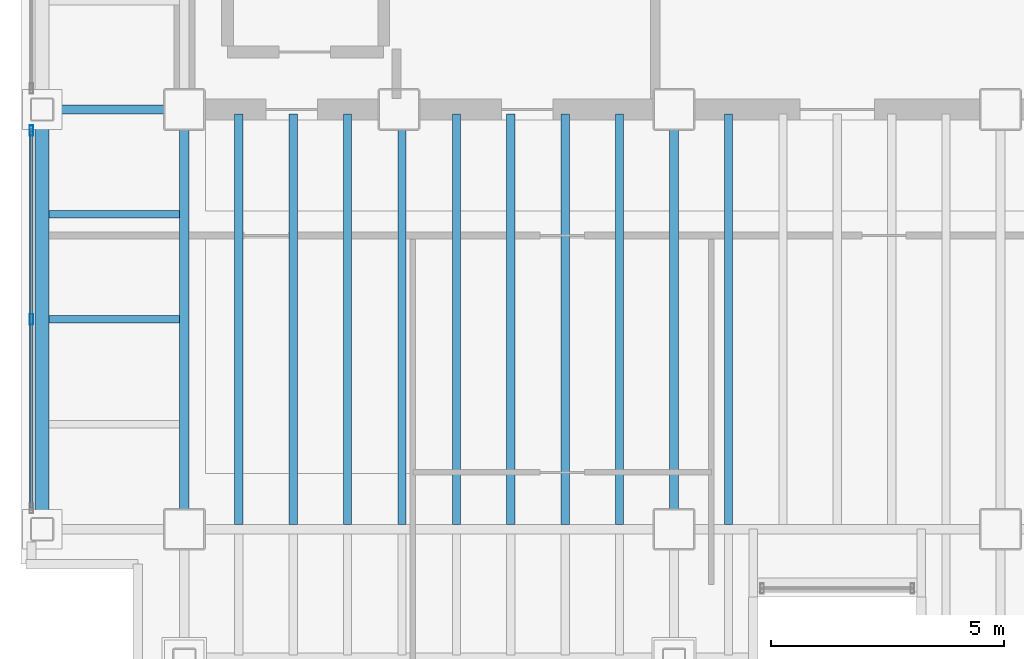
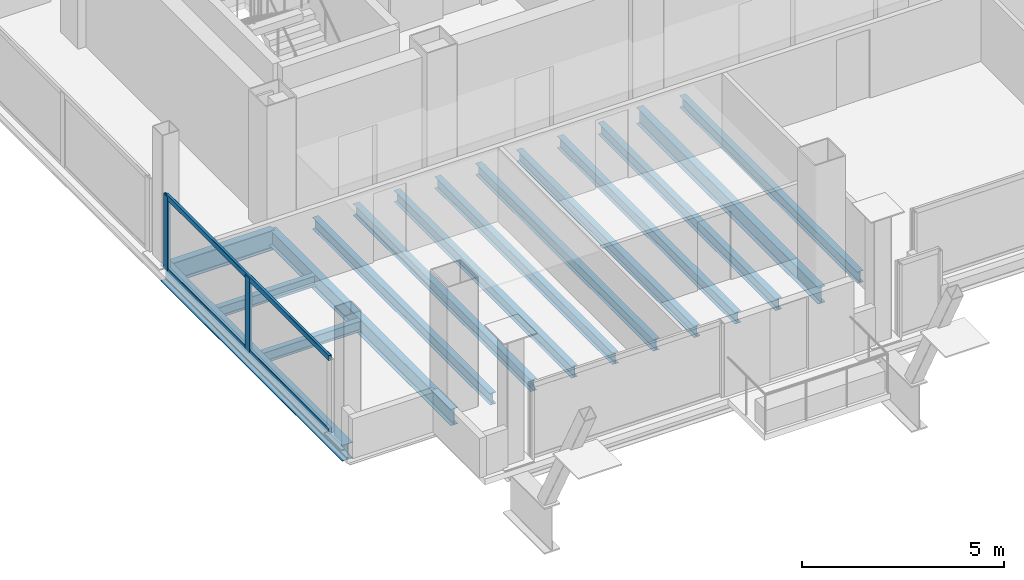
# One storey, part 3 of 16: 15 beams, 4 members, 1 element without a shape of its own.
"""IFC4 building model written with IfcOpenShell, lengths in metres."""

from ifc_helpers import new_model, si_unit, direction, frame, origin, origin_2d, place, context, subcontext, project, spatial, hollow_rectangle, i_section, extrude, material, material_profile, profile_set, type_object, element, aggregate, save


model = new_model("IFC4")

# Units and contexts
model_context = context("Model", 3, precision=1e-05, world=origin(), true_north=direction((0.0, 1.0)))
body_context = subcontext(model_context, "Body", "Model", "MODEL_VIEW")
ifc_project = project(units=[si_unit("LENGTHUNIT", "METRE"), si_unit("AREAUNIT", "SQUARE_METRE"), si_unit("VOLUMEUNIT", "CUBIC_METRE"), si_unit("PLANEANGLEUNIT", "RADIAN"), si_unit("MASSUNIT", "GRAM", prefix="KILO")], contexts=[model_context])

# Site, building, storey
site_placement = place(None, origin())
site = spatial("IfcSite", under=ifc_project, at=site_placement, CompositionType="ELEMENT")
building_placement = place(site_placement, origin())
building = spatial("IfcBuilding", under=site, at=building_placement, Name="Noeulbin Bourse Tower", CompositionType="ELEMENT")
storey_placement = place(building_placement, frame((0.0, 0.0, 192.89990234375)))
storey = spatial("IfcBuildingStorey", under=building, at=storey_placement, Name="L48", CompositionType="ELEMENT", Elevation=192.89990234375)

# Beams
ifc_material_1 = material(Name="Steel S355", Category="steel")
ifc_material_profile_1 = material_profile(ifc_material_1, i_section(OverallWidth=0.199951171875, OverallDepth=0.5, WebThickness=0.010009765625, FlangeThickness=0.01611328125, FilletRadius=0.02001953125, at=origin_2d()), Name="H-500x200x10x16", Category="LoadBearing")
ifc_profile_set_1 = profile_set([ifc_material_profile_1], Name="Steel S355")
beam_type_1 = type_object("IfcBeamType", Name="BM-GRD-500", PredefinedType="USERDEFINED", material=ifc_profile_set_1)
for number, where, z_axis, x_axis, name in (
    (1, (13.5, 20.0, -0.429931640625), (0.0, 1.0, 0.0), (-1.0, 0.0, 0.0), "Tower Primary Girder NS L48-1.2"),
    (2, (24.0, 20.0, -0.429931640625), (0.0, 1.0, 0.0), (-1.0, 0.0, 0.0), "Tower Primary Girder NS L48-2.2"),
):
    element("IfcBeam", number, at=place(storey_placement, frame(where, z_axis=z_axis, x_axis=x_axis)), inside=storey, type_object=beam_type_1, Name=name, ObjectType="GIRDER", PredefinedType="USERDEFINED", context=body_context, shape_type="SweptSolid", body=[
        extrude(i_section(OverallWidth=0.199951171875, OverallDepth=0.5, WebThickness=0.010009765625, FlangeThickness=0.01611328125, FilletRadius=0.02001953125, at=origin_2d()), origin(), (0.0, 0.0, 1.0), 9.0),
    ])
ifc_material_profile_2 = material_profile(ifc_material_1, i_section(OverallWidth=0.199951171875, OverallDepth=0.60009765625, WebThickness=0.010986328125, FlangeThickness=0.01708984375, FilletRadius=0.02197265625, at=origin_2d()), Name="H-600x200x11x17", Category="LoadBearing")
ifc_profile_set_2 = profile_set([ifc_material_profile_2], Name="Steel S355")
beam_type_2 = type_object("IfcBeamType", Name="BM-GRD-600", PredefinedType="USERDEFINED", material=ifc_profile_set_2)
beam_1_placement = place(storey_placement, frame((10.449951171875, 29.0, -0.47998046875), z_axis=(1.0, 0.0, 0.0), x_axis=(0.0, 1.0, 0.0)))
element("IfcBeam", 3, at=beam_1_placement, inside=storey, type_object=beam_type_2, Name="Tower Primary Girder EW L48-2.1", ObjectType="GIRDER", PredefinedType="USERDEFINED", context=body_context, shape_type="SweptSolid", body=[
    extrude(i_section(OverallWidth=0.199951171875, OverallDepth=0.60009765625, WebThickness=0.010986328125, FlangeThickness=0.01708984375, FilletRadius=0.02197265625, at=origin_2d()), origin(), (0.0, 0.0, 1.0), 3.050048828125),
])
ifc_material_profile_3 = material_profile(ifc_material_1, i_section(OverallWidth=0.159912109375, OverallDepth=0.320068359375, WebThickness=0.006591796875, FlangeThickness=0.010009765625, FilletRadius=0.012939453125, at=origin_2d()), Name="H-320x160x6.5x10", Category="LoadBearing")
ifc_profile_set_3 = profile_set([ifc_material_profile_3], Name="Steel S355")
beam_type_3 = type_object("IfcBeamType", Name="BM-JST-320", PredefinedType="JOIST", material=ifc_profile_set_3)
for number, where, z_axis, x_axis, name in (
    (4, (10.60009765625, 24.5, -0.33984375), (1.0, 0.0, 0.0), (0.0, 1.0, 0.0), "Wing Composite Joist L48-W68"),
    (5, (10.60009765625, 26.75, -0.33984375), (1.0, 0.0, 0.0), (0.0, 1.0, 0.0), "Wing Composite Joist L48-W69"),
):
    element("IfcBeam", number, at=place(storey_placement, frame(where, z_axis=z_axis, x_axis=x_axis)), inside=storey, type_object=beam_type_3, Name=name, PredefinedType="JOIST", context=body_context, shape_type="SweptSolid", body=[
        extrude(i_section(OverallWidth=0.159912109375, OverallDepth=0.320068359375, WebThickness=0.006591796875, FlangeThickness=0.010009765625, FilletRadius=0.012939453125, at=origin_2d()), origin(), (0.0, 0.0, 1.0), 2.7998046875),
    ])
ifc_material_profile_4 = material_profile(ifc_material_1, i_section(OverallWidth=0.175048828125, OverallDepth=0.35009765625, WebThickness=0.007080078125, FlangeThickness=0.010986328125, FilletRadius=0.013916015625, at=origin_2d()), Name="H-350x175x7x11", Category="LoadBearing")
ifc_profile_set_4 = profile_set([ifc_material_profile_4], Name="Steel S355")
beam_type_4 = type_object("IfcBeamType", Name="BM-JST-350", PredefinedType="JOIST", material=ifc_profile_set_4)
for number, where, z_axis, x_axis, name in (
    (6, (14.666748046875, 20.10009765625, -0.35498046875), (0.0, 1.0, 0.0), (-1.0, 0.0, 0.0), "Tower Composite Joist L48-02"),
    (7, (15.833251953125, 20.10009765625, -0.35498046875), (0.0, 1.0, 0.0), (-1.0, 0.0, 0.0), "Tower Composite Joist L48-05"),
    (8, (17.0, 20.10009765625, -0.35498046875), (0.0, 1.0, 0.0), (-1.0, 0.0, 0.0), "Tower Composite Joist L48-08"),
    (9, (18.166748046875, 20.10009765625, -0.35498046875), (0.0, 1.0, 0.0), (-1.0, 0.0, 0.0), "Tower Composite Joist L48-11"),
    (10, (19.333251953125, 20.10009765625, -0.35498046875), (0.0, 1.0, 0.0), (-1.0, 0.0, 0.0), "Tower Composite Joist L48-14"),
    (11, (20.5, 20.10009765625, -0.35498046875), (0.0, 1.0, 0.0), (-1.0, 0.0, 0.0), "Tower Composite Joist L48-17"),
    (12, (21.666748046875, 20.10009765625, -0.35498046875), (0.0, 1.0, 0.0), (-1.0, 0.0, 0.0), "Tower Composite Joist L48-20"),
    (13, (22.833251953125, 20.10009765625, -0.35498046875), (0.0, 1.0, 0.0), (-1.0, 0.0, 0.0), "Tower Composite Joist L48-23"),
    (14, (25.166748046875, 20.10009765625, -0.35498046875), (0.0, 1.0, 0.0), (-1.0, 0.0, 0.0), "Tower Composite Joist L48-26"),
):
    element("IfcBeam", number, at=place(storey_placement, frame(where, z_axis=z_axis, x_axis=x_axis)), inside=storey, type_object=beam_type_4, Name=name, PredefinedType="JOIST", context=body_context, shape_type="SweptSolid", body=[
        extrude(i_section(OverallWidth=0.175048828125, OverallDepth=0.35009765625, WebThickness=0.007080078125, FlangeThickness=0.010986328125, FilletRadius=0.013916015625, at=origin_2d()), origin(), (0.0, 0.0, 1.0), 8.7998046875),
    ])
ifc_material_profile_5 = material_profile(ifc_material_1, i_section(OverallWidth=0.300048828125, OverallDepth=0.488037109375, WebThickness=0.010986328125, FlangeThickness=0.01806640625, FilletRadius=0.02197265625, at=origin_2d()), Name="H-488x300x11x18", Category="LoadBearing")
ifc_profile_set_5 = profile_set([ifc_material_profile_5], Name="Steel S355")
beam_type_5 = type_object("IfcBeamType", Name="BM-SPN-488", PredefinedType="SPANDREL", material=ifc_profile_set_5)
beam_2_placement = place(storey_placement, frame((10.449951171875, 20.0, -0.423828125), z_axis=(0.0, 1.0, 0.0), x_axis=(-1.0, 0.0, 0.0)))
element("IfcBeam", 15, at=beam_2_placement, inside=storey, type_object=beam_type_5, Name="West Spandrel L48-1", PredefinedType="SPANDREL", context=body_context, shape_type="SweptSolid", body=[
    extrude(i_section(OverallWidth=0.300048828125, OverallDepth=0.488037109375, WebThickness=0.010986328125, FlangeThickness=0.01806640625, FilletRadius=0.02197265625, at=origin_2d()), origin(), (0.0, 0.0, 1.0), 9.0),
])

# Curtain wall, members
ifc_material_2 = material(Name="Dark Tinted Triple Glazing", Category="glass")
curtain_wall_type = type_object("IfcCurtainWallType", Name="CW-SYS-3", PredefinedType="NOTDEFINED", material=ifc_material_2)
curtain_wall_placement = place(storey_placement, origin())
curtain_wall = element("IfcCurtainWall", 16, at=curtain_wall_placement, inside=storey, type_object=curtain_wall_type, Name="Unitised Curtain Wall CW-L48-W-S1", PredefinedType="NOTDEFINED")
ifc_material_3 = material(Name="Anodised Aluminium 6063-T6", Category="aluminium")
ifc_material_profile_6 = material_profile(ifc_material_3, hollow_rectangle(XDim=0.074951171875, YDim=0.219970703125, WallThickness=0.0048828125, InnerFilletRadius=0.00244140625, OuterFilletRadius=0.0048828125, at=origin_2d()), Name="ALU-MULL-75x220x5", Category="LoadBearing")
ifc_profile_set_6 = profile_set([ifc_material_profile_6], Name="Anodised Aluminium 6063-T6")
member_type_1 = type_object("IfcMemberType", Name="CW-SYS-3-MUL", PredefinedType="MULLION", material=ifc_profile_set_6)
member_1_placement = place(storey_placement, frame((10.219970703125, 24.5, -0.02001953125), z_axis=(0.0, 0.0, 1.0), x_axis=(1.0, 0.0, 0.0)))
member_1 = element("IfcMember", 17, at=member_1_placement, type_object=member_type_1, Name="Curtain Wall Mullion CW-L48-W-S1-M01", PredefinedType="MULLION", context=body_context, shape_type="SweptSolid", body=[
    extrude(hollow_rectangle(XDim=0.074951171875, YDim=0.219970703125, WallThickness=0.0048828125, InnerFilletRadius=0.00244140625, OuterFilletRadius=0.0048828125, at=origin_2d()), origin(), (0.0, 0.0, 1.0), 2.260009765625),
])
member_2_placement = place(storey_placement, frame((10.219970703125, 28.550048828125, -0.02001953125), z_axis=(0.0, 0.0, 1.0), x_axis=(1.0, 0.0, 0.0)))
member_2 = element("IfcMember", 18, at=member_2_placement, type_object=member_type_1, Name="Curtain Wall Mullion CW-L48-W-S1-M02", PredefinedType="MULLION", context=body_context, shape_type="SweptSolid", body=[
    extrude(hollow_rectangle(XDim=0.074951171875, YDim=0.219970703125, WallThickness=0.0048828125, InnerFilletRadius=0.00244140625, OuterFilletRadius=0.0048828125, at=origin_2d()), origin(), (0.0, 0.0, 1.0), 2.260009765625),
])
ifc_material_profile_7 = material_profile(ifc_material_3, hollow_rectangle(XDim=0.074951171875, YDim=0.159912109375, WallThickness=0.0048828125, InnerFilletRadius=0.00244140625, OuterFilletRadius=0.0048828125, at=origin_2d()), Name="ALU-TRAN-75x160x5", Category="LoadBearing")
ifc_profile_set_7 = profile_set([ifc_material_profile_7], Name="Anodised Aluminium 6063-T6")
member_type_2 = type_object("IfcMemberType", Name="CW-SYS-3-TRN", PredefinedType="USERDEFINED", material=ifc_profile_set_7)
member_3_placement = place(storey_placement, frame((10.219970703125, 20.4599609375, 0.010009765625), z_axis=(0.0, 1.0, 0.0), x_axis=(-1.0, 0.0, 0.0)))
member_3 = element("IfcMember", 19, at=member_3_placement, type_object=member_type_2, Name="Curtain Wall Transom CW-L48-W-S1-T00", ObjectType="TRANSOM", PredefinedType="USERDEFINED", context=body_context, shape_type="SweptSolid", body=[
    extrude(hollow_rectangle(XDim=0.074951171875, YDim=0.159912109375, WallThickness=0.0048828125, InnerFilletRadius=0.00244140625, OuterFilletRadius=0.0048828125, at=origin_2d()), origin(), (0.0, 0.0, 1.0), 8.080078125),
])
member_4_placement = place(storey_placement, frame((10.219970703125, 20.4599609375, 2.210205078125), z_axis=(0.0, 1.0, 0.0), x_axis=(-1.0, 0.0, 0.0)))
member_4 = element("IfcMember", 20, at=member_4_placement, type_object=member_type_2, Name="Curtain Wall Transom CW-L48-W-S1-T01", ObjectType="TRANSOM", PredefinedType="USERDEFINED", context=body_context, shape_type="SweptSolid", body=[
    extrude(hollow_rectangle(XDim=0.074951171875, YDim=0.159912109375, WallThickness=0.0048828125, InnerFilletRadius=0.00244140625, OuterFilletRadius=0.0048828125, at=origin_2d()), origin(), (0.0, 0.0, 1.0), 8.080078125),
])
aggregate(curtain_wall, [member_1, member_2, member_3, member_4])

save(model, "model.ifc")
